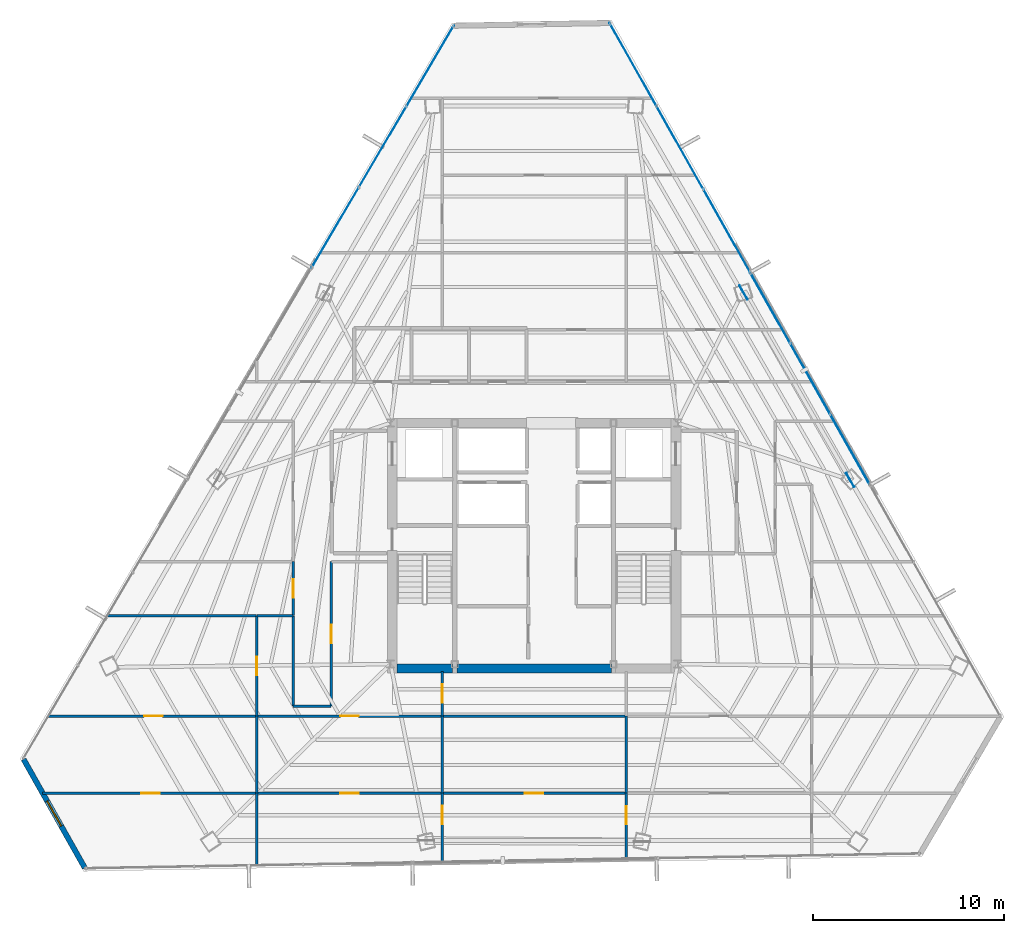
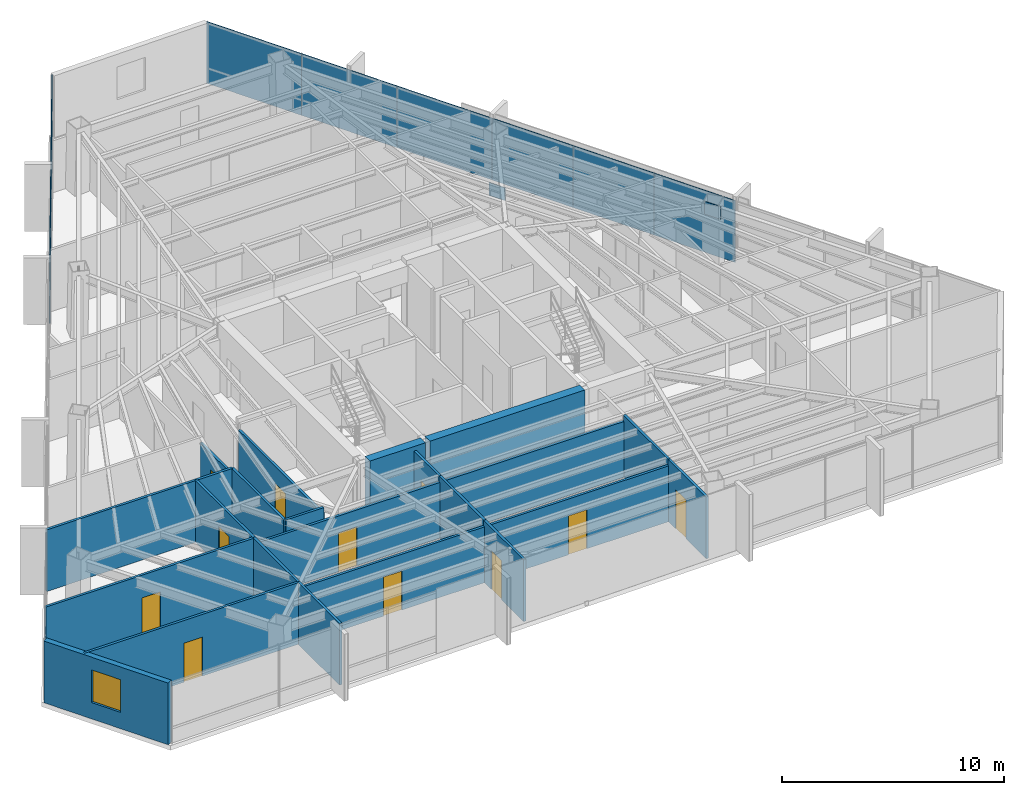
# One storey, part 35 of 42: 23 walls, 11 doors, 11 plates, 1 window, 12 openings, 3 elements without a shape of their own.
"""IFC4 building model written with IfcOpenShell, lengths in metres."""

from ifc_helpers import new_model, si_unit, direction, frame, frame_2d, origin, origin_2d, place, context, subcontext, project, spatial, rectangle, extrude, source, transform, mapped, material, layer, layer_set, type_object, type_shapes, element, fill, aggregate, save


model = new_model("IFC4")

# Units and contexts
model_context = context("Model", 3, precision=1e-05, world=origin(), true_north=direction((0.0, 1.0)))
body_context = subcontext(model_context, "Body", "Model", "MODEL_VIEW")
ifc_project = project(units=[si_unit("LENGTHUNIT", "METRE"), si_unit("AREAUNIT", "SQUARE_METRE"), si_unit("VOLUMEUNIT", "CUBIC_METRE"), si_unit("PLANEANGLEUNIT", "RADIAN"), si_unit("MASSUNIT", "GRAM", prefix="KILO")], contexts=[model_context])

# Site, building, storey
site_placement = place(None, origin())
site = spatial("IfcSite", under=ifc_project, at=site_placement, CompositionType="ELEMENT")
building_placement = place(site_placement, origin())
building = spatial("IfcBuilding", under=site, at=building_placement, Name="Caelisora Broadcast Tower", CompositionType="ELEMENT")
storey_placement = place(building_placement, frame((0.0, 0.0, 195.0)))
storey = spatial("IfcBuildingStorey", under=building, at=storey_placement, Name="L51", CompositionType="ELEMENT", Elevation=195.0)

# Plates
ifc_material_1 = material(Name="Steel Grade 350 L15 (AS/NZS 3678)", Category="steel")
ifc_layer_1 = layer(ifc_material_1, 0.0400390625, Name="Steel Grade 350 L15 (AS/NZS 3678)")
ifc_layer_set_1 = layer_set([ifc_layer_1], Name="Steel Grade 350 L15 (AS/NZS 3678)")
plate_type_1 = type_object("IfcPlateType", Name="GP04", PredefinedType="USERDEFINED", material=ifc_layer_set_1)
shared_shape_1 = source(origin(), body_context, "Body", "SweptSolid", [
    extrude(rectangle(XDim=0.85009765625, YDim=0.0400390625, at=origin_2d()), origin(), (0.0, 0.0, 1.0), 0.699951171875),
])
type_shapes(plate_type_1, [shared_shape_1])
for number, where, z_axis, x_axis, name in (
    (1, (54.51611328125, 27.01708984375, 2.72998046875), (0.0, 0.0, 1.0), (-0.5, 0.866025403784, 0.0), "L51 gusset plate GP04 (ND-L51-C10T)"),
    (2, (48.941650390625, 36.81689453125, -0.22998046875), (0.0, 0.0, 1.0), (-0.5, 0.866025403784, 0.0), "L51 gusset plate GP04 (ND-L51-C11B)"),
):
    element("IfcPlate", number, at=place(storey_placement, frame(where, z_axis=z_axis, x_axis=x_axis)), inside=storey, type_object=plate_type_1, Name=name, ObjectType="GUSSET PLATE", PredefinedType="USERDEFINED", context=body_context, shape_type="MappedRepresentation", body=[
        mapped(shared_shape_1, transform((0.0, 0.0, 0.0), scale=1.0)),
    ])

# Curtain wall, plates
ifc_material_2 = material(Name="Unitised Aluminium and Low-E Glass Curtain Wall", Category="glass")
curtain_wall_type_1 = type_object("IfcCurtainWallType", Name="CW-Z4", PredefinedType="NOTDEFINED", material=ifc_material_2)
curtain_wall_1_placement = place(storey_placement, origin())
curtain_wall_1 = element("IfcCurtainWall", 3, at=curtain_wall_1_placement, inside=storey, type_object=curtain_wall_type_1, Name="L51 curtain wall CW-Z4", PredefinedType="NOTDEFINED")
ifc_material_3 = material(Name="Double Glazed Low-E Argon IGU", Category="glass")
ifc_layer_2 = layer(ifc_material_3, 0.030029296875, Name="Double Glazed Low-E Argon IGU")
ifc_layer_set_2 = layer_set([ifc_layer_2], Name="Double Glazed Low-E Argon IGU")
plate_type_2 = type_object("IfcPlateType", Name="CWP-05", PredefinedType="CURTAIN_PANEL", material=ifc_layer_set_2)
shared_shape_2 = source(origin(), body_context, "Body", "SweptSolid", [
    extrude(rectangle(XDim=4.985107421875, YDim=0.030029296875, at=origin_2d()), origin(), (0.0, 0.0, 1.0), 3.39990234375),
])
plate_1_placement = place(storey_placement, frame((43.1669921875, 48.734619140625, 0.0), z_axis=(0.0, 0.0, 1.0), x_axis=(0.491055801632, -0.871128118983, 0.0)))
plate_1 = element("IfcPlate", 4, at=plate_1_placement, type_object=plate_type_2, Name="L51-CW-B01 glazed panel #1", PredefinedType="CURTAIN_PANEL", context=body_context, shape_type="MappedRepresentation", body=[
    mapped(shared_shape_2, transform((0.0, 0.0, 0.0), scale=1.0)),
])
plate_2_placement = place(storey_placement, frame((45.614501953125, 44.391845703125, 0.0), z_axis=(0.0, 0.0, 1.0), x_axis=(0.491055801632, -0.871128118983, 0.0)))
plate_2 = element("IfcPlate", 5, at=plate_2_placement, type_object=plate_type_2, Name="L51-CW-B01 glazed panel #2", PredefinedType="CURTAIN_PANEL", context=body_context, shape_type="MappedRepresentation", body=[
    mapped(shared_shape_2, transform((0.0, 0.0, 0.0), scale=1.0)),
])
plate_3_placement = place(storey_placement, frame((48.062255859375, 40.04931640625, 0.0), z_axis=(0.0, 0.0, 1.0), x_axis=(0.491055801632, -0.871128118983, 0.0)))
plate_3 = element("IfcPlate", 6, at=plate_3_placement, type_object=plate_type_2, Name="L51-CW-B01 glazed panel #3", PredefinedType="CURTAIN_PANEL", context=body_context, shape_type="MappedRepresentation", body=[
    mapped(shared_shape_2, transform((0.0, 0.0, 0.0), scale=1.0)),
])
aggregate(curtain_wall_1, [plate_1, plate_2, plate_3])

ifc_material_4 = material(Name="Unitised Aluminium Insulated Shadow-Box Spandrel Curtain Wall", Category="aluminium")
curtain_wall_type_2 = type_object("IfcCurtainWallType", Name="CW-SP2", PredefinedType="NOTDEFINED", material=ifc_material_4)
curtain_wall_2_placement = place(storey_placement, origin())
curtain_wall_2 = element("IfcCurtainWall", 7, at=curtain_wall_2_placement, inside=storey, type_object=curtain_wall_type_2, Name="L51 curtain wall CW-SP2", PredefinedType="NOTDEFINED")
ifc_material_5 = material(Name="Insulated Terracotta Shadow-Box Spandrel Panel", Category="aluminium")
ifc_layer_3 = layer(ifc_material_5, 0.0439453125, Name="Insulated Terracotta Shadow-Box Spandrel Panel")
ifc_layer_set_3 = layer_set([ifc_layer_3], Name="Insulated Terracotta Shadow-Box Spandrel Panel")
plate_type_3 = type_object("IfcPlateType", Name="CWP-10", PredefinedType="CURTAIN_PANEL", material=ifc_layer_set_3)
shared_shape_3 = source(origin(), body_context, "Body", "SweptSolid", [
    extrude(rectangle(XDim=4.2490234375, YDim=0.0439453125, at=origin_2d()), origin(), (0.0, 0.0, 1.0), 3.39990234375),
])
type_shapes(plate_type_3, [shared_shape_3])
plate_4_placement = place(storey_placement, frame((50.334228515625, 36.018310546875, 0.0), z_axis=(0.0, 0.0, 1.0), x_axis=(0.491055801632, -0.871128118983, 0.0)))
plate_4 = element("IfcPlate", 8, at=plate_4_placement, type_object=plate_type_3, Name="L51-CW-B02 spandrel panel #1", PredefinedType="CURTAIN_PANEL", context=body_context, shape_type="MappedRepresentation", body=[
    mapped(shared_shape_3, transform((0.0, 0.0, 0.0), scale=1.0)),
])
plate_5_placement = place(storey_placement, frame((52.420654296875, 32.316650390625, 0.0), z_axis=(0.0, 0.0, 1.0), x_axis=(0.491055801632, -0.871128118983, 0.0)))
plate_5 = element("IfcPlate", 9, at=plate_5_placement, type_object=plate_type_3, Name="L51-CW-B02 spandrel panel #2", PredefinedType="CURTAIN_PANEL", context=body_context, shape_type="MappedRepresentation", body=[
    mapped(shared_shape_3, transform((0.0, 0.0, 0.0), scale=1.0)),
])
plate_6_placement = place(storey_placement, frame((54.507080078125, 28.614990234375, 0.0), z_axis=(0.0, 0.0, 1.0), x_axis=(0.491055801632, -0.871128118983, 0.0)))
plate_6 = element("IfcPlate", 10, at=plate_6_placement, type_object=plate_type_3, Name="L51-CW-B02 spandrel panel #3", PredefinedType="CURTAIN_PANEL", context=body_context, shape_type="MappedRepresentation", body=[
    mapped(shared_shape_3, transform((0.0, 0.0, 0.0), scale=1.0)),
])
aggregate(curtain_wall_2, [plate_4, plate_5, plate_6])

curtain_wall_3_placement = place(storey_placement, origin())
curtain_wall_3 = element("IfcCurtainWall", 11, at=curtain_wall_3_placement, inside=storey, type_object=curtain_wall_type_1, Name="L51 curtain wall CW-Z4", PredefinedType="NOTDEFINED")
shared_shape_4 = source(origin(), body_context, "Body", "SweptSolid", [
    extrude(rectangle(XDim=4.895263671875, YDim=0.030029296875, at=origin_2d()), origin(), (0.0, 0.0, 1.0), 3.39990234375),
])
type_shapes(plate_type_2, [shared_shape_2, shared_shape_4])
plate_7_placement = place(storey_placement, frame((27.60498046875, 40.2099609375, 0.0), z_axis=(0.0, 0.0, 1.0), x_axis=(0.506334807353, 0.862336977557, 0.0)))
plate_7 = element("IfcPlate", 12, at=plate_7_placement, type_object=plate_type_2, Name="L51-CW-B11 glazed panel #1", PredefinedType="CURTAIN_PANEL", context=body_context, shape_type="MappedRepresentation", body=[
    mapped(shared_shape_4, transform((0.0, 0.0, 0.0), scale=1.0)),
])
plate_8_placement = place(storey_placement, frame((30.083740234375, 44.43115234375, 0.0), z_axis=(0.0, 0.0, 1.0), x_axis=(0.506334807353, 0.862336977557, 0.0)))
plate_8 = element("IfcPlate", 13, at=plate_8_placement, type_object=plate_type_2, Name="L51-CW-B11 glazed panel #2", PredefinedType="CURTAIN_PANEL", context=body_context, shape_type="MappedRepresentation", body=[
    mapped(shared_shape_4, transform((0.0, 0.0, 0.0), scale=1.0)),
])
plate_9_placement = place(storey_placement, frame((32.5625, 48.65234375, 0.0), z_axis=(0.0, 0.0, 1.0), x_axis=(0.506334807353, 0.862336977557, 0.0)))
plate_9 = element("IfcPlate", 14, at=plate_9_placement, type_object=plate_type_2, Name="L51-CW-B11 glazed panel #3", PredefinedType="CURTAIN_PANEL", context=body_context, shape_type="MappedRepresentation", body=[
    mapped(shared_shape_4, transform((0.0, 0.0, 0.0), scale=1.0)),
])
aggregate(curtain_wall_3, [plate_7, plate_8, plate_9])

# Walls
ifc_material_6 = material(Name="Concrete 50 MPa (AS 3600 S50)", Category="concrete")
ifc_layer_4 = layer(ifc_material_6, 0.449951171875, Name="Concrete 50 MPa (AS 3600 S50)")
ifc_layer_set_4 = layer_set([ifc_layer_4], Name="Concrete 50 MPa (AS 3600 S50)")
wall_type_1 = type_object("IfcWallType", Name="CW5", PredefinedType="SHEAR", material=ifc_layer_set_4)
wall_1_placement = place(storey_placement, frame((30.840087890625, 17.175048828125, 0.0), z_axis=(0.0, 0.0, 1.0), x_axis=(1.0, 0.0, 0.0)))
element("IfcWall", 15, at=wall_1_placement, inside=storey, type_object=wall_type_1, Name="L51 core shear wall CW5", PredefinedType="SHEAR", context=body_context, shape_type="SweptSolid", body=[
    extrude(rectangle(XDim=2.89990234375, YDim=0.449951171875, at=frame_2d((1.449951171875, 0.0))), origin(), (0.0, 0.0, 1.0), 3.64990234375),
])
wall_2_placement = place(storey_placement, frame((33.9599609375, 17.175048828125, 0.0), z_axis=(0.0, 0.0, 1.0), x_axis=(1.0, 0.0, 0.0)))
element("IfcWall", 16, at=wall_2_placement, inside=storey, type_object=wall_type_1, Name="L51 core shear wall CW5", PredefinedType="SHEAR", context=body_context, shape_type="SweptSolid", body=[
    extrude(rectangle(XDim=8.080078125, YDim=0.449951171875, at=frame_2d((4.0400390625, 0.0))), origin(), (0.0, 0.0, 1.0), 3.64990234375),
])

# Wall, opening, window
ifc_material_7 = material(Name="Insulated Terracotta Spandrel Wall System", Category="masonry")
ifc_layer_5 = layer(ifc_material_7, 0.280029296875, Name="Insulated Terracotta Spandrel Wall System")
ifc_layer_set_5 = layer_set([ifc_layer_5], Name="Insulated Terracotta Spandrel Wall System")
wall_type_2 = type_object("IfcWallType", Name="EW1", PredefinedType="STANDARD", material=ifc_layer_set_5)
wall_3_placement = place(storey_placement, frame((14.521240234375, 6.753173828125, 0.0), z_axis=(0.0, 0.0, 1.0), x_axis=(-0.49105804489, 0.871126854453, 0.0)))
wall_3 = element("IfcWall", 17, at=wall_3_placement, inside=storey, type_object=wall_type_2, Name="L51 exterior envelope wall EW1", PredefinedType="STANDARD", context=body_context, shape_type="SweptSolid", body=[
    extrude(rectangle(XDim=6.515380859375, YDim=0.280029296875, at=frame_2d((3.2578125, 0.0))), origin(), (0.0, 0.0, 1.0), 3.39990234375),
])
opening_1_placement = place(wall_3_placement, frame((2.510009765625, 0.0, 0.89990234375)))
opening_1 = element("IfcOpeningElement", 18, at=opening_1_placement, cuts=wall_3, Name="Opening W02", PredefinedType="OPENING", context=body_context, shape_type="SweptSolid", body=[
    extrude(rectangle(XDim=1.5, YDim=1.800048828125, at=frame_2d((0.75, 0.89990234375))), frame((0.0, 0.152099609375, 0.0), z_axis=(0.0, -1.0, 0.0), x_axis=(1.0, 0.0, 0.0)), (0.0, 0.0, 1.0), 0.303955078125),
])
ifc_material_8 = material(Name="Double Glazed Terracotta-Framed Vision Window", Category="glass")
window_type = type_object("IfcWindowType", Name="W02", PartitioningType="SINGLE_PANEL", PredefinedType="WINDOW", material=ifc_material_8)
window_placement = place(opening_1_placement, origin())
window = element("IfcWindow", 19, at=window_placement, inside=storey, type_object=window_type, Name="L51 window W02 (L51-WN-CH4)", OverallHeight=1.800048828125, OverallWidth=1.5, PartitioningType="SINGLE_PANEL", PredefinedType="WINDOW", context=body_context, shape_type="SweptSolid", body=[
    extrude(rectangle(XDim=1.5, YDim=1.800048828125, at=frame_2d((0.75, 0.89990234375))), frame((0.0, 0.030029296875, 0.0), z_axis=(0.0, -1.0, 0.0), x_axis=(1.0, 0.0, 0.0)), (0.0, 0.0, 1.0), 0.06005859375),
])
fill(opening_1, window)

# Wall, opening, door
ifc_material_9 = material(Name="Acoustic Steel-Stud Plasterboard Partition", Category="gypsum")
ifc_layer_6 = layer(ifc_material_9, 0.1298828125, Name="Acoustic Steel-Stud Plasterboard Partition")
ifc_layer_set_6 = layer_set([ifc_layer_6], Name="Acoustic Steel-Stud Plasterboard Partition")
wall_type_3 = type_object("IfcWallType", Name="PW3", PredefinedType="PARTITIONING", material=ifc_layer_set_6)
wall_4_placement = place(storey_placement, frame((12.313232421875, 10.659912109375, 0.0), z_axis=(0.0, 0.0, 1.0), x_axis=(1.0, 0.0, 0.0)))
wall_4 = element("IfcWall", 20, at=wall_4_placement, inside=storey, type_object=wall_type_3, Name="L51 internal partition PW3", PredefinedType="PARTITIONING", context=body_context, shape_type="SweptSolid", body=[
    extrude(rectangle(XDim=11.181884765625, YDim=0.1298828125, at=frame_2d((5.5908203125, 0.0))), origin(), (0.0, 0.0, 1.0), 3.39990234375),
])
opening_2_placement = place(wall_4_placement, frame((5.16796875, 0.0, 0.0)))
opening_2 = element("IfcOpeningElement", 21, at=opening_2_placement, cuts=wall_4, Name="Opening D01", PredefinedType="OPENING", context=body_context, shape_type="SweptSolid", body=[
    extrude(rectangle(XDim=0.9599609375, YDim=2.14990234375, at=frame_2d((0.47998046875, 1.074951171875))), frame((0.0, 0.076904296875, 0.0), z_axis=(0.0, -1.0, 0.0), x_axis=(1.0, 0.0, 0.0)), (0.0, 0.0, 1.0), 0.15380859375),
])
ifc_material_10 = material(Name="Solid-Core Timber Acoustic Office Door", Category="wood")
door_type = type_object("IfcDoorType", Name="D01", OperationType="NOTDEFINED", PredefinedType="DOOR", material=ifc_material_10)
door_1_placement = place(opening_2_placement, origin())
door_1 = element("IfcDoor", 22, at=door_1_placement, inside=storey, type_object=door_type, Name="L51 door D01 (L51-DR-P25D1)", OperationType="SINGLE_SWING_LEFT", OverallHeight=2.14990234375, OverallWidth=0.9599609375, PredefinedType="DOOR", context=body_context, shape_type="SweptSolid", body=[
    extrude(rectangle(XDim=0.9599609375, YDim=2.14990234375, at=frame_2d((0.47998046875, 1.074951171875))), frame((0.0, 0.02490234375, 0.0), z_axis=(0.0, -1.0, 0.0), x_axis=(1.0, 0.0, 0.0)), (0.0, 0.0, 1.0), 0.050048828125),
])
fill(opening_2, door_1)

wall_5_placement = place(storey_placement, frame((12.61328125, 14.68994140625, 0.0), z_axis=(0.0, 0.0, 1.0), x_axis=(1.0, 0.0, 0.0)))
wall_5 = element("IfcWall", 23, at=wall_5_placement, inside=storey, type_object=wall_type_3, Name="L51 internal partition PW3", PredefinedType="PARTITIONING", context=body_context, shape_type="SweptSolid", body=[
    extrude(rectangle(XDim=10.8818359375, YDim=0.1298828125, at=frame_2d((5.44091796875, 0.0))), origin(), (0.0, 0.0, 1.0), 3.39990234375),
])
opening_3_placement = place(wall_5_placement, frame((5.012939453125, 0.0, 0.0)))
opening_3 = element("IfcOpeningElement", 24, at=opening_3_placement, cuts=wall_5, Name="Opening D01", PredefinedType="OPENING", context=body_context, shape_type="SweptSolid", body=[
    extrude(rectangle(XDim=0.9599609375, YDim=2.14990234375, at=frame_2d((0.47998046875, 1.074951171875))), frame((0.0, 0.076904296875, 0.0), z_axis=(0.0, -1.0, 0.0), x_axis=(1.0, 0.0, 0.0)), (0.0, 0.0, 1.0), 0.15380859375),
])
door_2_placement = place(opening_3_placement, origin())
door_2 = element("IfcDoor", 25, at=door_2_placement, inside=storey, type_object=door_type, Name="L51 door D01 (L51-DR-P27D1)", OperationType="SINGLE_SWING_LEFT", OverallHeight=2.14990234375, OverallWidth=0.9599609375, PredefinedType="DOOR", context=body_context, shape_type="SweptSolid", body=[
    extrude(rectangle(XDim=0.9599609375, YDim=2.14990234375, at=frame_2d((0.47998046875, 1.074951171875))), frame((0.0, 0.02490234375, 0.0), z_axis=(0.0, -1.0, 0.0), x_axis=(1.0, 0.0, 0.0)), (0.0, 0.0, 1.0), 0.050048828125),
])
fill(opening_3, door_2)

wall_6_placement = place(storey_placement, frame((23.5048828125, 14.68994140625, 0.0), z_axis=(0.0, 0.0, 1.0), x_axis=(1.0, 0.0, 0.0)))
wall_6 = element("IfcWall", 26, at=wall_6_placement, inside=storey, type_object=wall_type_3, Name="L51 internal partition PW3", PredefinedType="PARTITIONING", context=body_context, shape_type="SweptSolid", body=[
    extrude(rectangle(XDim=9.690185546875, YDim=0.1298828125, at=frame_2d((4.84521484375, 0.0))), origin(), (0.0, 0.0, 1.0), 3.077880859375),
])
opening_4_placement = place(wall_6_placement, frame((4.364990234375, 0.0, 0.0)))
opening_4 = element("IfcOpeningElement", 27, at=opening_4_placement, cuts=wall_6, Name="Opening D01", PredefinedType="OPENING", context=body_context, shape_type="SweptSolid", body=[
    extrude(rectangle(XDim=0.9599609375, YDim=2.14990234375, at=frame_2d((0.47998046875, 1.074951171875))), frame((0.0, 0.076904296875, 0.0), z_axis=(0.0, -1.0, 0.0), x_axis=(1.0, 0.0, 0.0)), (0.0, 0.0, 1.0), 0.15380859375),
])
door_3_placement = place(opening_4_placement, origin())
door_3 = element("IfcDoor", 28, at=door_3_placement, inside=storey, type_object=door_type, Name="L51 door D01 (L51-DR-P31D1)", OperationType="SINGLE_SWING_LEFT", OverallHeight=2.14990234375, OverallWidth=0.9599609375, PredefinedType="DOOR", context=body_context, shape_type="SweptSolid", body=[
    extrude(rectangle(XDim=0.9599609375, YDim=2.14990234375, at=frame_2d((0.47998046875, 1.074951171875))), frame((0.0, 0.02490234375, 0.0), z_axis=(0.0, -1.0, 0.0), x_axis=(1.0, 0.0, 0.0)), (0.0, 0.0, 1.0), 0.050048828125),
])
fill(opening_4, door_3)

wall_7_placement = place(storey_placement, frame((23.5048828125, 10.659912109375, 0.0), z_axis=(0.0, 0.0, 1.0), x_axis=(1.0, 0.0, 0.0)))
wall_7 = element("IfcWall", 29, at=wall_7_placement, inside=storey, type_object=wall_type_3, Name="L51 internal partition PW3", PredefinedType="PARTITIONING", context=body_context, shape_type="SweptSolid", body=[
    extrude(rectangle(XDim=9.690185546875, YDim=0.1298828125, at=frame_2d((4.84521484375, 0.0))), origin(), (0.0, 0.0, 1.0), 3.077880859375),
])
opening_5_placement = place(wall_7_placement, frame((4.364990234375, 0.0, 0.0)))
opening_5 = element("IfcOpeningElement", 30, at=opening_5_placement, cuts=wall_7, Name="Opening D01", PredefinedType="OPENING", context=body_context, shape_type="SweptSolid", body=[
    extrude(rectangle(XDim=0.9599609375, YDim=2.14990234375, at=frame_2d((0.47998046875, 1.074951171875))), frame((0.0, 0.076904296875, 0.0), z_axis=(0.0, -1.0, 0.0), x_axis=(1.0, 0.0, 0.0)), (0.0, 0.0, 1.0), 0.15380859375),
])
door_4_placement = place(opening_5_placement, origin())
door_4 = element("IfcDoor", 31, at=door_4_placement, inside=storey, type_object=door_type, Name="L51 door D01 (L51-DR-P32D1)", OperationType="SINGLE_SWING_RIGHT", OverallHeight=2.14990234375, OverallWidth=0.9599609375, PredefinedType="DOOR", context=body_context, shape_type="SweptSolid", body=[
    extrude(rectangle(XDim=0.9599609375, YDim=2.14990234375, at=frame_2d((0.47998046875, 1.074951171875))), frame((0.0, 0.02490234375, 0.0), z_axis=(0.0, -1.0, 0.0), x_axis=(1.0, 0.0, 0.0)), (0.0, 0.0, 1.0), 0.050048828125),
])
fill(opening_5, door_4)

wall_8_placement = place(storey_placement, frame((33.205078125, 10.659912109375, 0.0), z_axis=(0.0, 0.0, 1.0), x_axis=(1.0, 0.0, 0.0)))
wall_8 = element("IfcWall", 32, at=wall_8_placement, inside=storey, type_object=wall_type_3, Name="L51 internal partition PW3", PredefinedType="PARTITIONING", context=body_context, shape_type="SweptSolid", body=[
    extrude(rectangle(XDim=9.58984375, YDim=0.1298828125, at=frame_2d((4.794921875, 0.0))), origin(), (0.0, 0.0, 1.0), 3.077880859375),
])
opening_6_placement = place(wall_8_placement, frame((4.31494140625, 0.0, 0.0)))
opening_6 = element("IfcOpeningElement", 33, at=opening_6_placement, cuts=wall_8, Name="Opening D01", PredefinedType="OPENING", context=body_context, shape_type="SweptSolid", body=[
    extrude(rectangle(XDim=0.9599609375, YDim=2.14990234375, at=frame_2d((0.47998046875, 1.074951171875))), frame((0.0, 0.076904296875, 0.0), z_axis=(0.0, -1.0, 0.0), x_axis=(1.0, 0.0, 0.0)), (0.0, 0.0, 1.0), 0.15380859375),
])
door_5_placement = place(opening_6_placement, origin())
door_5 = element("IfcDoor", 34, at=door_5_placement, inside=storey, type_object=door_type, Name="L51 door D01 (L51-DR-P35D1)", OperationType="SINGLE_SWING_LEFT", OverallHeight=2.14990234375, OverallWidth=0.9599609375, PredefinedType="DOOR", context=body_context, shape_type="SweptSolid", body=[
    extrude(rectangle(XDim=0.9599609375, YDim=2.14990234375, at=frame_2d((0.47998046875, 1.074951171875))), frame((0.0, 0.02490234375, 0.0), z_axis=(0.0, -1.0, 0.0), x_axis=(1.0, 0.0, 0.0)), (0.0, 0.0, 1.0), 0.050048828125),
])
fill(opening_6, door_5)

# Walls
wall_9_placement = place(storey_placement, frame((33.205078125, 14.68994140625, 0.0), z_axis=(0.0, 0.0, 1.0), x_axis=(1.0, 0.0, 0.0)))
element("IfcWall", 35, at=wall_9_placement, inside=storey, type_object=wall_type_3, Name="L51 internal partition PW3", PredefinedType="PARTITIONING", context=body_context, shape_type="SweptSolid", body=[
    extrude(rectangle(XDim=9.58984375, YDim=0.1298828125, at=frame_2d((4.794921875, 0.0))), origin(), (0.0, 0.0, 1.0), 3.077880859375),
])
wall_10_placement = place(storey_placement, frame((15.6904296875, 19.929931640625, 0.0), z_axis=(0.0, 0.0, 1.0), x_axis=(1.0, 0.0, 0.0)))
element("IfcWall", 36, at=wall_10_placement, inside=storey, type_object=wall_type_3, Name="L51 internal partition PW3", PredefinedType="PARTITIONING", context=body_context, shape_type="SweptSolid", body=[
    extrude(rectangle(XDim=7.8046875, YDim=0.1298828125, at=frame_2d((3.90234375, 0.0))), origin(), (0.0, 0.0, 1.0), 3.39990234375),
])

# Wall, opening, door
wall_11_placement = place(storey_placement, frame((27.39990234375, 15.205078125, 0.0), z_axis=(0.0, 0.0, 1.0), x_axis=(0.0, 1.0, 0.0)))
wall_11 = element("IfcWall", 37, at=wall_11_placement, inside=storey, type_object=wall_type_3, Name="L51 internal partition PW3", PredefinedType="PARTITIONING", context=body_context, shape_type="SweptSolid", body=[
    extrude(rectangle(XDim=7.5498046875, YDim=0.1298828125, at=frame_2d((3.77490234375, 0.0))), origin(), (0.0, 0.0, 1.0), 3.077880859375),
])
opening_7_placement = place(wall_11_placement, frame((3.294921875, 0.0, 0.0)))
opening_7 = element("IfcOpeningElement", 38, at=opening_7_placement, cuts=wall_11, Name="Opening D01", PredefinedType="OPENING", context=body_context, shape_type="SweptSolid", body=[
    extrude(rectangle(XDim=0.9599609375, YDim=2.14990234375, at=frame_2d((0.47998046875, 1.074951171875))), frame((0.0, 0.076904296875, 0.0), z_axis=(0.0, -1.0, 0.0), x_axis=(1.0, 0.0, 0.0)), (0.0, 0.0, 1.0), 0.15380859375),
])
door_6_placement = place(opening_7_placement, origin())
door_6 = element("IfcDoor", 39, at=door_6_placement, inside=storey, type_object=door_type, Name="L51 door D01 (L51-DR-P44D1)", OperationType="SINGLE_SWING_RIGHT", OverallHeight=2.14990234375, OverallWidth=0.9599609375, PredefinedType="DOOR", context=body_context, shape_type="SweptSolid", body=[
    extrude(rectangle(XDim=0.9599609375, YDim=2.14990234375, at=frame_2d((0.47998046875, 1.074951171875))), frame((0.0, 0.02490234375, 0.0), z_axis=(0.0, -1.0, 0.0), x_axis=(1.0, 0.0, 0.0)), (0.0, 0.0, 1.0), 0.050048828125),
])
fill(opening_7, door_6)

wall_12_placement = place(storey_placement, frame((23.5, 14.695068359375, 0.0), z_axis=(0.0, 0.0, 1.0), x_axis=(0.0, 1.0, 0.0)))
wall_12 = element("IfcWall", 40, at=wall_12_placement, inside=storey, type_object=wall_type_3, Name="L51 internal partition PW3", PredefinedType="PARTITIONING", context=body_context, shape_type="SweptSolid", body=[
    extrude(rectangle(XDim=5.22998046875, YDim=0.1298828125, at=frame_2d((2.614990234375, 0.0))), origin(), (0.0, 0.0, 1.0), 3.39990234375),
])
opening_8_placement = place(wall_12_placement, frame((2.135009765625, 0.0, 0.0)))
opening_8 = element("IfcOpeningElement", 41, at=opening_8_placement, cuts=wall_12, Name="Opening D01", PredefinedType="OPENING", context=body_context, shape_type="SweptSolid", body=[
    extrude(rectangle(XDim=0.9599609375, YDim=2.14990234375, at=frame_2d((0.47998046875, 1.074951171875))), frame((0.0, 0.076904296875, 0.0), z_axis=(0.0, -1.0, 0.0), x_axis=(1.0, 0.0, 0.0)), (0.0, 0.0, 1.0), 0.15380859375),
])
door_7_placement = place(opening_8_placement, origin())
door_7 = element("IfcDoor", 42, at=door_7_placement, inside=storey, type_object=door_type, Name="L51 door D01 (L51-DR-P51D1)", OperationType="SINGLE_SWING_LEFT", OverallHeight=2.14990234375, OverallWidth=0.9599609375, PredefinedType="DOOR", context=body_context, shape_type="SweptSolid", body=[
    extrude(rectangle(XDim=0.9599609375, YDim=2.14990234375, at=frame_2d((0.47998046875, 1.074951171875))), frame((0.0, 0.02490234375, 0.0), z_axis=(0.0, -1.0, 0.0), x_axis=(1.0, 0.0, 0.0)), (0.0, 0.0, 1.0), 0.050048828125),
])
fill(opening_8, door_7)

# Walls
wall_13_placement = place(storey_placement, frame((25.39990234375, 19.925048828125, 0.0), z_axis=(0.0, 0.0, 1.0), x_axis=(0.0, -1.0, 0.0)))
element("IfcWall", 43, at=wall_13_placement, inside=storey, type_object=wall_type_3, Name="L51 internal partition PW3", PredefinedType="PARTITIONING", context=body_context, shape_type="SweptSolid", body=[
    extrude(rectangle(XDim=4.719970703125, YDim=0.1298828125, at=frame_2d((2.35986328125, 0.0))), origin(), (0.0, 0.0, 1.0), 3.39990234375),
])
for number, where, z_axis, x_axis, name in (
    (44, (23.5, 10.6650390625, 0.0), (0.0, 0.0, 1.0), (0.0, 1.0, 0.0), "L51 internal partition PW3"),
    (45, (33.199951171875, 10.6650390625, 0.0), (0.0, 0.0, 1.0), (0.0, 1.0, 0.0), "L51 internal partition PW3"),
    (46, (42.800048828125, 10.6650390625, 0.0), (0.0, 0.0, 1.0), (0.0, 1.0, 0.0), "L51 internal partition PW3"),
):
    element("IfcWall", number, at=place(storey_placement, frame(where, z_axis=z_axis, x_axis=x_axis)), inside=storey, type_object=wall_type_3, Name=name, PredefinedType="PARTITIONING", context=body_context, shape_type="SweptSolid", body=[
        extrude(rectangle(XDim=4.02001953125, YDim=0.1298828125, at=frame_2d((2.010009765625, 0.0))), origin(), (0.0, 0.0, 1.0), 3.39990234375),
    ])
wall_14_placement = place(storey_placement, frame((23.5, 6.880615234375, 0.0), z_axis=(0.0, 0.0, 1.0), x_axis=(0.0, 1.0, 0.0)))
element("IfcWall", 47, at=wall_14_placement, inside=storey, type_object=wall_type_3, Name="L51 internal partition PW3", PredefinedType="PARTITIONING", context=body_context, shape_type="SweptSolid", body=[
    extrude(rectangle(XDim=3.7744140625, YDim=0.1298828125, at=frame_2d((1.88720703125, 0.0))), origin(), (0.0, 0.0, 1.0), 3.39990234375),
])

# Wall, opening, door
wall_15_placement = place(storey_placement, frame((33.199951171875, 7.052490234375, 0.0), z_axis=(0.0, 0.0, 1.0), x_axis=(0.0, 1.0, 0.0)))
wall_15 = element("IfcWall", 48, at=wall_15_placement, inside=storey, type_object=wall_type_3, Name="L51 internal partition PW3", PredefinedType="PARTITIONING", context=body_context, shape_type="SweptSolid", body=[
    extrude(rectangle(XDim=3.6025390625, YDim=0.1298828125, at=frame_2d((1.80126953125, 0.0))), origin(), (0.0, 0.0, 1.0), 3.39990234375),
])
opening_9_placement = place(wall_15_placement, frame((1.97998046875, 0.0, 0.0)))
opening_9 = element("IfcOpeningElement", 49, at=opening_9_placement, cuts=wall_15, Name="Opening D01", PredefinedType="OPENING", context=body_context, shape_type="SweptSolid", body=[
    extrude(rectangle(XDim=0.9599609375, YDim=2.14990234375, at=frame_2d((0.47998046875, 1.074951171875))), frame((0.0, 0.076904296875, 0.0), z_axis=(0.0, -1.0, 0.0), x_axis=(1.0, 0.0, 0.0)), (0.0, 0.0, 1.0), 0.15380859375),
])
door_8_placement = place(opening_9_placement, origin())
door_8 = element("IfcDoor", 50, at=door_8_placement, inside=storey, type_object=door_type, Name="L51 door D01 (L51-DR-P70D1)", OperationType="SINGLE_SWING_LEFT", OverallHeight=2.14990234375, OverallWidth=0.9599609375, PredefinedType="DOOR", context=body_context, shape_type="SweptSolid", body=[
    extrude(rectangle(XDim=0.9599609375, YDim=2.14990234375, at=frame_2d((0.47998046875, 1.074951171875))), frame((0.0, 0.02490234375, 0.0), z_axis=(0.0, -1.0, 0.0), x_axis=(1.0, 0.0, 0.0)), (0.0, 0.0, 1.0), 0.050048828125),
])
fill(opening_9, door_8)

wall_16_placement = place(storey_placement, frame((42.800048828125, 7.222900390625, 0.0), z_axis=(0.0, 0.0, 1.0), x_axis=(0.0, 1.0, 0.0)))
wall_16 = element("IfcWall", 51, at=wall_16_placement, inside=storey, type_object=wall_type_3, Name="L51 internal partition PW3", PredefinedType="PARTITIONING", context=body_context, shape_type="SweptSolid", body=[
    extrude(rectangle(XDim=3.43212890625, YDim=0.1298828125, at=frame_2d((1.716064453125, 0.0))), origin(), (0.0, 0.0, 1.0), 3.39990234375),
])
opening_10_placement = place(wall_16_placement, frame((1.800048828125, 0.0, 0.0)))
opening_10 = element("IfcOpeningElement", 52, at=opening_10_placement, cuts=wall_16, Name="Opening D01", PredefinedType="OPENING", context=body_context, shape_type="SweptSolid", body=[
    extrude(rectangle(XDim=0.9599609375, YDim=2.14990234375, at=frame_2d((0.47998046875, 1.074951171875))), frame((0.0, 0.076904296875, 0.0), z_axis=(0.0, -1.0, 0.0), x_axis=(1.0, 0.0, 0.0)), (0.0, 0.0, 1.0), 0.15380859375),
])
door_9_placement = place(opening_10_placement, origin())
door_9 = element("IfcDoor", 53, at=door_9_placement, inside=storey, type_object=door_type, Name="L51 door D01 (L51-DR-P72D1)", OperationType="SINGLE_SWING_LEFT", OverallHeight=2.14990234375, OverallWidth=0.9599609375, PredefinedType="DOOR", context=body_context, shape_type="SweptSolid", body=[
    extrude(rectangle(XDim=0.9599609375, YDim=2.14990234375, at=frame_2d((0.47998046875, 1.074951171875))), frame((0.0, 0.02490234375, 0.0), z_axis=(0.0, -1.0, 0.0), x_axis=(1.0, 0.0, 0.0)), (0.0, 0.0, 1.0), 0.050048828125),
])
fill(opening_10, door_9)

wall_17_placement = place(storey_placement, frame((25.39990234375, 19.93505859375, 0.0), z_axis=(0.0, 0.0, 1.0), x_axis=(0.0, 1.0, 0.0)))
wall_17 = element("IfcWall", 54, at=wall_17_placement, inside=storey, type_object=wall_type_3, Name="L51 internal partition PW3", PredefinedType="PARTITIONING", context=body_context, shape_type="SweptSolid", body=[
    extrude(rectangle(XDim=2.81982421875, YDim=0.1298828125, at=frame_2d((1.409912109375, 0.0))), origin(), (0.0, 0.0, 1.0), 3.077880859375),
])
opening_11_placement = place(wall_17_placement, frame((0.929931640625, 0.0, 0.0)))
opening_11 = element("IfcOpeningElement", 55, at=opening_11_placement, cuts=wall_17, Name="Opening D01", PredefinedType="OPENING", context=body_context, shape_type="SweptSolid", body=[
    extrude(rectangle(XDim=0.9599609375, YDim=2.14990234375, at=frame_2d((0.47998046875, 1.074951171875))), frame((0.0, 0.076904296875, 0.0), z_axis=(0.0, -1.0, 0.0), x_axis=(1.0, 0.0, 0.0)), (0.0, 0.0, 1.0), 0.15380859375),
])
door_10_placement = place(opening_11_placement, origin())
door_10 = element("IfcDoor", 56, at=door_10_placement, inside=storey, type_object=door_type, Name="L51 door D01 (L51-DR-P77D1)", OperationType="SINGLE_SWING_RIGHT", OverallHeight=2.14990234375, OverallWidth=0.9599609375, PredefinedType="DOOR", context=body_context, shape_type="SweptSolid", body=[
    extrude(rectangle(XDim=0.9599609375, YDim=2.14990234375, at=frame_2d((0.47998046875, 1.074951171875))), frame((0.0, 0.02490234375, 0.0), z_axis=(0.0, -1.0, 0.0), x_axis=(1.0, 0.0, 0.0)), (0.0, 0.0, 1.0), 0.050048828125),
])
fill(opening_11, door_10)

wall_18_placement = place(storey_placement, frame((33.199951171875, 14.695068359375, 0.0), z_axis=(0.0, 0.0, 1.0), x_axis=(0.0, 1.0, 0.0)))
wall_18 = element("IfcWall", 57, at=wall_18_placement, inside=storey, type_object=wall_type_3, Name="L51 internal partition PW3", PredefinedType="PARTITIONING", context=body_context, shape_type="SweptSolid", body=[
    extrude(rectangle(XDim=2.329833984375, YDim=0.1298828125, at=frame_2d((1.1650390625, 0.0))), origin(), (0.0, 0.0, 1.0), 3.39990234375),
])
opening_12_placement = place(wall_18_placement, frame((0.68505859375, 0.0, 0.0)))
opening_12 = element("IfcOpeningElement", 58, at=opening_12_placement, cuts=wall_18, Name="Opening D01", PredefinedType="OPENING", context=body_context, shape_type="SweptSolid", body=[
    extrude(rectangle(XDim=0.9599609375, YDim=2.14990234375, at=frame_2d((0.47998046875, 1.074951171875))), frame((0.0, 0.076904296875, 0.0), z_axis=(0.0, -1.0, 0.0), x_axis=(1.0, 0.0, 0.0)), (0.0, 0.0, 1.0), 0.15380859375),
])
door_11_placement = place(opening_12_placement, origin())
door_11 = element("IfcDoor", 59, at=door_11_placement, inside=storey, type_object=door_type, Name="L51 door D01 (L51-DR-P80D1)", OperationType="SINGLE_SWING_RIGHT", OverallHeight=2.14990234375, OverallWidth=0.9599609375, PredefinedType="DOOR", context=body_context, shape_type="SweptSolid", body=[
    extrude(rectangle(XDim=0.9599609375, YDim=2.14990234375, at=frame_2d((0.47998046875, 1.074951171875))), frame((0.0, 0.02490234375, 0.0), z_axis=(0.0, -1.0, 0.0), x_axis=(1.0, 0.0, 0.0)), (0.0, 0.0, 1.0), 0.050048828125),
])
fill(opening_12, door_11)

# Walls
wall_19_placement = place(storey_placement, frame((25.405029296875, 15.199951171875, 0.0), z_axis=(0.0, 0.0, 1.0), x_axis=(1.0, 0.0, 0.0)))
element("IfcWall", 60, at=wall_19_placement, inside=storey, type_object=wall_type_3, Name="L51 internal partition PW3", PredefinedType="PARTITIONING", context=body_context, shape_type="SweptSolid", body=[
    extrude(rectangle(XDim=1.989990234375, YDim=0.1298828125, at=frame_2d((0.9951171875, 0.0))), origin(), (0.0, 0.0, 1.0), 3.39990234375),
])
wall_20_placement = place(storey_placement, frame((23.5048828125, 19.929931640625, 0.0), z_axis=(0.0, 0.0, 1.0), x_axis=(1.0, 0.0, 0.0)))
element("IfcWall", 61, at=wall_20_placement, inside=storey, type_object=wall_type_3, Name="L51 internal partition PW3", PredefinedType="PARTITIONING", context=body_context, shape_type="SweptSolid", body=[
    extrude(rectangle(XDim=1.89013671875, YDim=0.1298828125, at=frame_2d((0.945068359375, 0.0))), origin(), (0.0, 0.0, 1.0), 3.39990234375),
])

save(model, "model.ifc")
